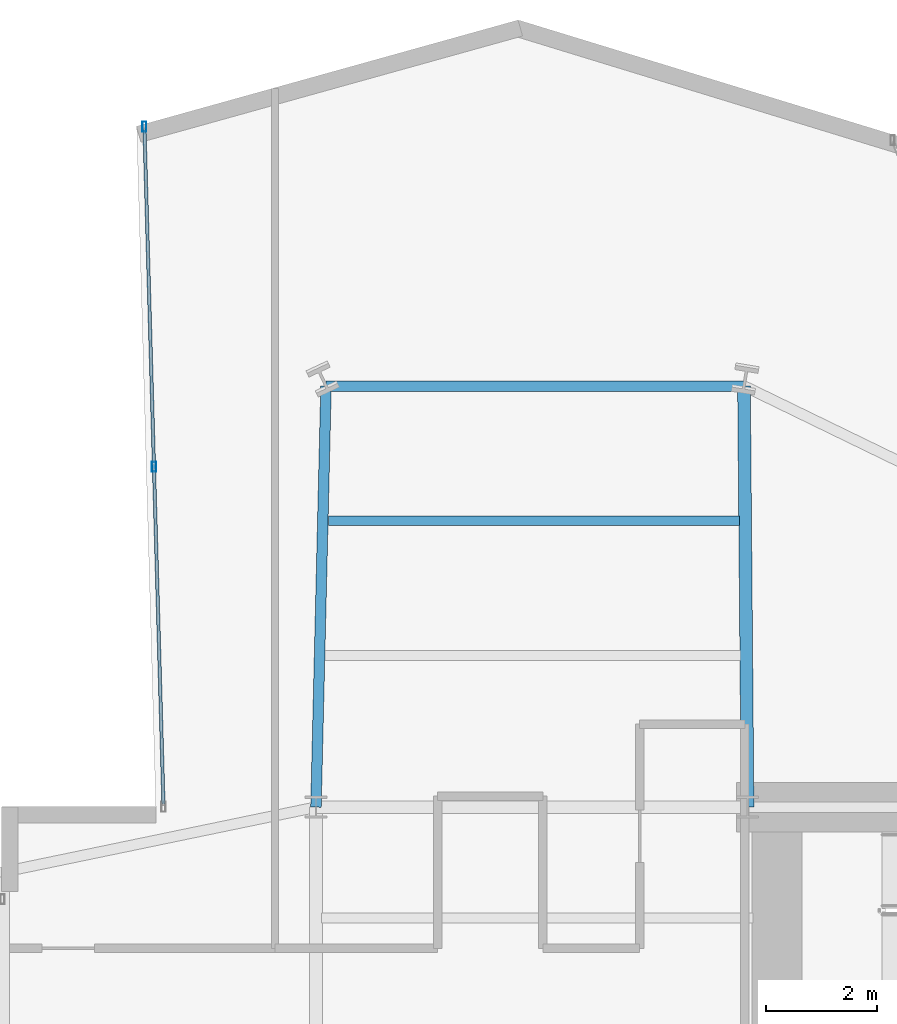
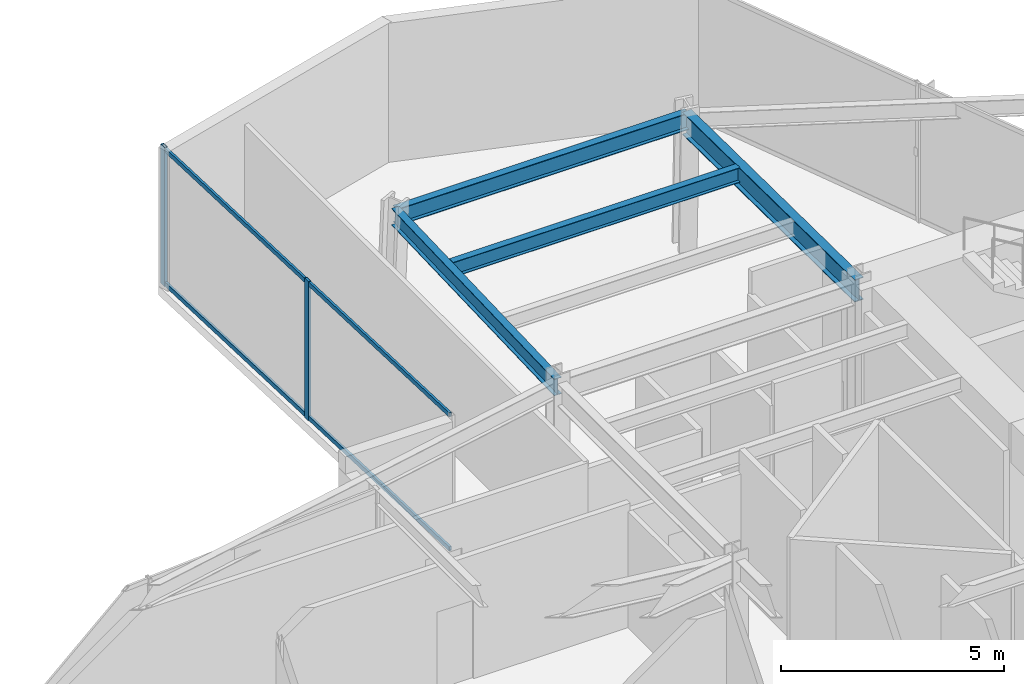
# One storey, part 19 of 29: 4 beams, 4 members, 1 element without a shape of its own.
"""IFC4 building model written with IfcOpenShell, lengths in metres."""

from ifc_helpers import new_model, si_unit, direction, frame, origin, origin_2d, place, context, subcontext, project, spatial, hollow_rectangle, i_section, extrude, material, layer, layer_set, material_profile, profile_set, type_object, element, aggregate, save


model = new_model("IFC4")

# Units and contexts
model_context = context("Model", 3, precision=1e-05, world=origin(), true_north=direction((0.0, 1.0)))
body_context = subcontext(model_context, "Body", "Model", "MODEL_VIEW")
ifc_project = project(units=[si_unit("LENGTHUNIT", "METRE"), si_unit("AREAUNIT", "SQUARE_METRE"), si_unit("VOLUMEUNIT", "CUBIC_METRE"), si_unit("PLANEANGLEUNIT", "RADIAN"), si_unit("MASSUNIT", "GRAM", prefix="KILO")], contexts=[model_context])

# Site, building, storey
site_placement = place(None, origin())
site = spatial("IfcSite", under=ifc_project, at=site_placement, CompositionType="ELEMENT")
building_placement = place(site_placement, origin())
building = spatial("IfcBuilding", under=site, at=building_placement, Name="Veymaron Broadcast Tower", CompositionType="ELEMENT")
storey_placement = place(building_placement, frame((0.0, 0.0, 58.050048828125)))
storey = spatial("IfcBuildingStorey", under=building, at=storey_placement, Name="L12", CompositionType="ELEMENT", Elevation=58.050048828125)

# Beams
ifc_material_1 = material(Name="Structural steel ASTM A992 Gr 50", Category="steel")
ifc_material_profile_1 = material_profile(ifc_material_1, i_section(OverallWidth=0.22998046875, OverallDepth=0.616943359375, WebThickness=0.01318359375, FlangeThickness=0.022216796875, at=origin_2d()), Name="W610X140")
ifc_profile_set_1 = profile_set([ifc_material_profile_1], Name="Structural steel ASTM A992 Gr 50")
beam_type_1 = type_object("IfcBeamType", Name="BM-FG1", PredefinedType="BEAM", material=ifc_profile_set_1)
beam_1_placement = place(storey_placement, frame((39.0, 32.0, 3.50146484375), z_axis=(-0.008533262174, 0.999963591056, 0.0), x_axis=(-0.999963591056, -0.008533262174, 0.0)))
element("IfcBeam", 1, at=beam_1_placement, inside=storey, type_object=beam_type_1, Name="L12 primary structural floor girder", PredefinedType="BEAM", context=body_context, shape_type="SweptSolid", body=[
    extrude(i_section(OverallWidth=0.22998046875, OverallDepth=0.616943359375, WebThickness=0.01318359375, FlangeThickness=0.022216796875, at=origin_2d()), origin(), (0.0, 0.0, 1.0), 7.6103515625),
])
ifc_material_profile_2 = material_profile(ifc_material_1, i_section(OverallWidth=0.177978515625, OverallDepth=0.406982421875, WebThickness=0.0078125, FlangeThickness=0.0126953125, at=origin_2d()), Name="W410X60")
ifc_profile_set_2 = profile_set([ifc_material_profile_2], Name="Structural steel ASTM A992 Gr 50")
beam_type_2 = type_object("IfcBeamType", Name="BM-JS1", PredefinedType="JOIST", material=ifc_profile_set_2)
beam_2_placement = place(storey_placement, frame((31.423828125, 37.1748046875, 3.6064453125), z_axis=(1.0, 0.0, 0.0), x_axis=(0.0, 1.0, 0.0)))
element("IfcBeam", 2, at=beam_2_placement, inside=storey, type_object=beam_type_2, Name="L12 Arm-B secondary joist 2", PredefinedType="JOIST", context=body_context, shape_type="SweptSolid", body=[
    extrude(i_section(OverallWidth=0.177978515625, OverallDepth=0.406982421875, WebThickness=0.0078125, FlangeThickness=0.0126953125, at=origin_2d()), origin(), (0.0, 0.0, 1.0), 7.431884765625),
])
ifc_material_profile_3 = material_profile(ifc_material_1, i_section(OverallWidth=0.19091796875, OverallDepth=0.4599609375, WebThickness=0.010009765625, FlangeThickness=0.01611328125, at=origin_2d()), Name="W460X82")
ifc_profile_set_3 = profile_set([ifc_material_profile_3], Name="Structural steel ASTM A992 Gr 50")
beam_type_3 = type_object("IfcBeamType", Name="BM-SP1", PredefinedType="SPANDREL", material=ifc_profile_set_3)
beam_3_placement = place(storey_placement, frame((31.199951171875, 32.0, 3.579833984375), z_axis=(0.023925650461, 0.999713740653, 0.0), x_axis=(-0.999713740653, 0.023925650461, 0.0)))
element("IfcBeam", 3, at=beam_3_placement, inside=storey, type_object=beam_type_3, Name="L12 primary structural floor girder", PredefinedType="SPANDREL", context=body_context, shape_type="SweptSolid", body=[
    extrude(i_section(OverallWidth=0.19091796875, OverallDepth=0.4599609375, WebThickness=0.010009765625, FlangeThickness=0.01611328125, at=origin_2d()), origin(), (0.0, 0.0, 1.0), 7.6123046875),
])
beam_4_placement = place(storey_placement, frame((31.382080078125, 39.610107421875, 3.579833984375), z_axis=(1.0, 0.0, 0.0), x_axis=(0.0, 1.0, 0.0)))
element("IfcBeam", 4, at=beam_4_placement, inside=storey, type_object=beam_type_3, Name="L12 primary structural floor girder", PredefinedType="SPANDREL", context=body_context, shape_type="SweptSolid", body=[
    extrude(i_section(OverallWidth=0.19091796875, OverallDepth=0.4599609375, WebThickness=0.010009765625, FlangeThickness=0.01611328125, at=origin_2d()), origin(), (0.0, 0.0, 1.0), 7.552978515625),
])

# Curtain wall, members
ifc_material_2 = material(Name="Anodised aluminium AA 6063-T6 and laminated low-E dark glass", Category="aluminium")
ifc_layer = layer(ifc_material_2, 0.179931640625)
ifc_layer_set = layer_set([ifc_layer], Name="Anodised aluminium AA 6063-T6 and laminated low-E dark glass")
curtain_wall_type = type_object("IfcCurtainWallType", Name="CW-SYS-02", PredefinedType="NOTDEFINED", material=ifc_layer_set)
curtain_wall_placement = place(storey_placement, origin())
curtain_wall = element("IfcCurtainWall", 5, at=curtain_wall_placement, inside=storey, type_object=curtain_wall_type, Name="L12 dark-glass curtain wall CW-L12-E8-1", PredefinedType="NOTDEFINED")
ifc_material_3 = material(Name="Anodised aluminium AA 6063-T6", Category="aluminium")
ifc_material_profile_4 = material_profile(ifc_material_3, hollow_rectangle(XDim=0.074951171875, YDim=0.179931640625, WallThickness=0.0048828125, at=origin_2d()), Name="AL180X75X5")
ifc_profile_set_4 = profile_set([ifc_material_profile_4], Name="Anodised aluminium AA 6063-T6")
member_type_1 = type_object("IfcMemberType", Name="CW-MUL-02", PredefinedType="MULLION", material=ifc_profile_set_4)
member_1_placement = place(storey_placement, frame((28.099609375, 44.2998046875, 0.0), z_axis=(0.0, 0.0, 1.0), x_axis=(1.0, 0.0, 0.0)))
member_1 = element("IfcMember", 6, at=member_1_placement, type_object=member_type_1, Name="CW-L12-E8-1 mullion 0", PredefinedType="MULLION", context=body_context, shape_type="SweptSolid", body=[
    extrude(hollow_rectangle(XDim=0.074951171875, YDim=0.179931640625, WallThickness=0.0048828125, at=origin_2d()), origin(), (0.0, 0.0, 1.0), 3.81005859375),
])
member_2_placement = place(storey_placement, frame((28.2724609375, 38.15185546875, 0.0), z_axis=(0.0, 0.0, 1.0), x_axis=(1.0, 0.0, 0.0)))
member_2 = element("IfcMember", 7, at=member_2_placement, type_object=member_type_1, Name="CW-L12-E8-1 mullion 1", PredefinedType="MULLION", context=body_context, shape_type="SweptSolid", body=[
    extrude(hollow_rectangle(XDim=0.074951171875, YDim=0.179931640625, WallThickness=0.0048828125, at=origin_2d()), origin(), (0.0, 0.0, 1.0), 3.81005859375),
])
ifc_material_profile_5 = material_profile(ifc_material_3, hollow_rectangle(XDim=0.06005859375, YDim=0.1201171875, WallThickness=0.00390625, at=origin_2d()), Name="AL120X60X4")
ifc_profile_set_5 = profile_set([ifc_material_profile_5], Name="Anodised aluminium AA 6063-T6")
member_type_2 = type_object("IfcMemberType", Name="CW-TRN-02", PredefinedType="USERDEFINED", material=ifc_profile_set_5)
member_3_placement = place(storey_placement, frame((28.100830078125, 44.25, 0.070068359375), z_axis=(0.028134189619, -0.999604155341, 0.0), x_axis=(0.999604155341, 0.028134189619, 0.0)))
member_3 = element("IfcMember", 8, at=member_3_placement, type_object=member_type_2, Name="CW-L12-E8-1 transom B", ObjectType="TRANSOM", PredefinedType="USERDEFINED", context=body_context, shape_type="SweptSolid", body=[
    extrude(hollow_rectangle(XDim=0.06005859375, YDim=0.1201171875, WallThickness=0.00390625, at=origin_2d()), origin(), (0.0, 0.0, 1.0), 12.200927734375),
])
member_4_placement = place(storey_placement, frame((28.100830078125, 44.25, 3.739990234375), z_axis=(0.028134189619, -0.999604155341, 0.0), x_axis=(0.999604155341, 0.028134189619, 0.0)))
member_4 = element("IfcMember", 9, at=member_4_placement, type_object=member_type_2, Name="CW-L12-E8-1 transom T", ObjectType="TRANSOM", PredefinedType="USERDEFINED", context=body_context, shape_type="SweptSolid", body=[
    extrude(hollow_rectangle(XDim=0.06005859375, YDim=0.1201171875, WallThickness=0.00390625, at=origin_2d()), origin(), (0.0, 0.0, 1.0), 12.200927734375),
])
aggregate(curtain_wall, [member_1, member_2, member_3, member_4])

save(model, "model.ifc")
